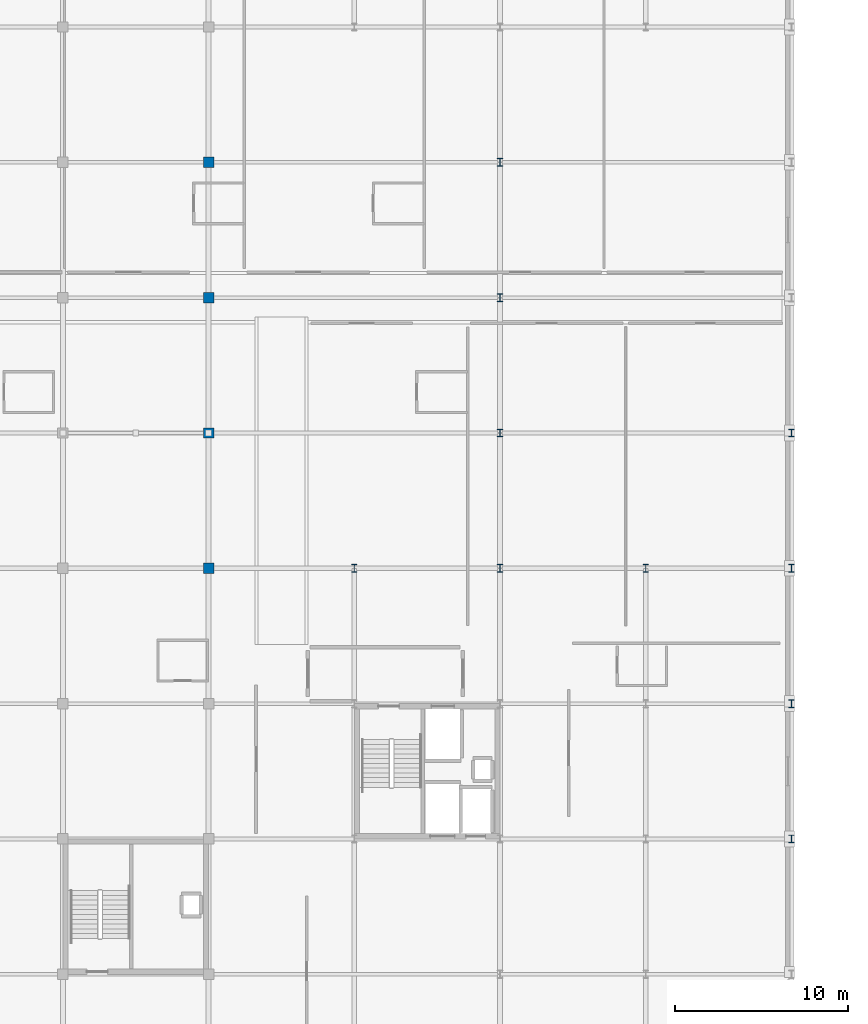
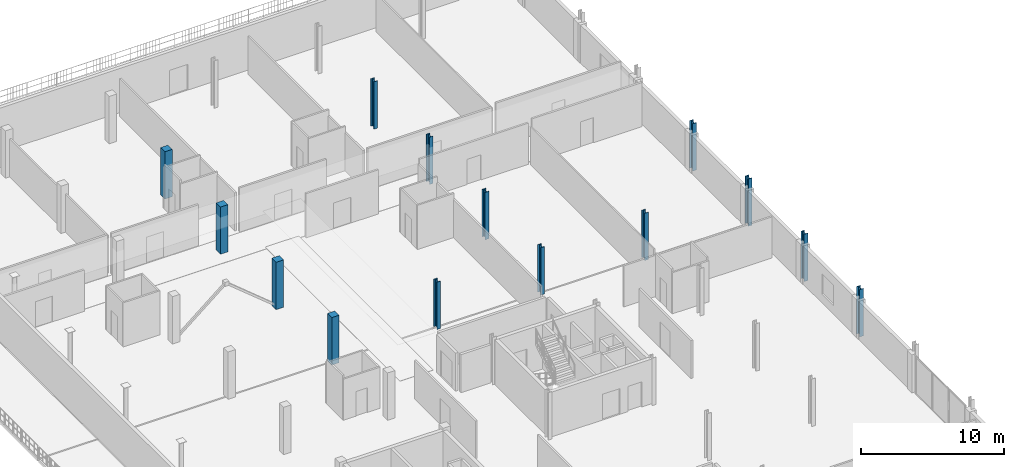
# One storey, part 4 of 25: 14 columns.
"""IFC4 building model written with IfcOpenShell, lengths in metres."""

from ifc_helpers import new_model, si_unit, direction, frame, origin, origin_2d, place, context, subcontext, project, spatial, rectangle, i_section, extrude, material, material_profile, profile_set, type_object, element, save


model = new_model("IFC4")

# Units and contexts
model_context = context("Model", 3, precision=1e-05, world=origin(), true_north=direction((0.0, 1.0)))
body_context = subcontext(model_context, "Body", "Model", "MODEL_VIEW")
ifc_project = project(units=[si_unit("LENGTHUNIT", "METRE"), si_unit("AREAUNIT", "SQUARE_METRE"), si_unit("VOLUMEUNIT", "CUBIC_METRE"), si_unit("PLANEANGLEUNIT", "RADIAN"), si_unit("MASSUNIT", "GRAM", prefix="KILO")], contexts=[model_context])

# Site, building, storey
site_placement = place(None, origin())
site = spatial("IfcSite", under=ifc_project, at=site_placement, CompositionType="ELEMENT")
building_placement = place(site_placement, origin())
building = spatial("IfcBuilding", under=site, at=building_placement, Name="Nabrawat Pavilion Hospital", CompositionType="ELEMENT")
storey_placement = place(building_placement, frame((0.0, 0.0, 22.949951171875)))
storey = spatial("IfcBuildingStorey", under=building, at=storey_placement, Name="L05", CompositionType="ELEMENT", Elevation=22.949951171875)

# Columns
ifc_material_1 = material(Name="Steel S355", Category="steel")
ifc_material_profile_1 = material_profile(ifc_material_1, i_section(OverallWidth=0.300048828125, OverallDepth=0.449951171875, WebThickness=0.013916015625, FlangeThickness=0.02587890625, FilletRadius=0.027099609375, at=origin_2d()), Name="HEB 450")
ifc_profile_set_1 = profile_set([ifc_material_profile_1], Name="Steel S355")
column_type_1 = type_object("IfcColumnType", Name="Composite Steel Column HEB 450", PredefinedType="COLUMN", material=ifc_profile_set_1)
for number, where, z_axis, x_axis, name in (
    (1, (168.0, 85.800048828125, 0.0), (0.0, 0.0, 1.0), (1.0, 0.0, 0.0), "L05 Structural Column G-21-M1"),
    (2, (176.39990234375, 85.800048828125, 0.0), (0.0, 0.0, 1.0), (1.0, 0.0, 0.0), "L05 Structural Column G-22-M1"),
    (3, (176.39990234375, 93.60009765625, 0.0), (0.0, 0.0, 1.0), (1.0, 0.0, 0.0), "L05 Structural Column G-22-N"),
    (4, (176.39990234375, 101.39990234375, 0.0), (0.0, 0.0, 1.0), (1.0, 0.0, 0.0), "L05 Structural Column G-22-P"),
    (5, (176.39990234375, 109.199951171875, 0.0), (0.0, 0.0, 1.0), (1.0, 0.0, 0.0), "L05 Structural Column G-22-Q"),
    (6, (184.800048828125, 85.800048828125, 0.0), (0.0, 0.0, 1.0), (1.0, 0.0, 0.0), "L05 Structural Column G-23-M1"),
    (7, (193.199951171875, 70.199951171875, 0.0), (0.0, 0.0, 1.0), (1.0, 0.0, 0.0), "L05 Structural Column G-24-K"),
    (8, (193.199951171875, 78.0, 0.0), (0.0, 0.0, 1.0), (1.0, 0.0, 0.0), "L05 Structural Column G-24-L"),
    (9, (193.199951171875, 85.800048828125, 0.0), (0.0, 0.0, 1.0), (1.0, 0.0, 0.0), "L05 Structural Column G-24-M1"),
    (10, (193.199951171875, 93.60009765625, 0.0), (0.0, 0.0, 1.0), (1.0, 0.0, 0.0), "L05 Structural Column G-24-N"),
):
    element("IfcColumn", number, at=place(storey_placement, frame(where, z_axis=z_axis, x_axis=x_axis)), inside=storey, type_object=column_type_1, Name=name, PredefinedType="COLUMN", context=body_context, shape_type="SweptSolid", body=[
        extrude(i_section(OverallWidth=0.300048828125, OverallDepth=0.449951171875, WebThickness=0.013916015625, FlangeThickness=0.02587890625, FilletRadius=0.027099609375, at=origin_2d()), origin(), (0.0, 0.0, 1.0), 4.050048828125),
    ])
ifc_material_2 = material(Name="Concrete C40/50", Category="concrete")
ifc_material_profile_2 = material_profile(ifc_material_2, rectangle(XDim=0.60009765625, YDim=0.60009765625, at=origin_2d()), Name="RC 600x600")
ifc_profile_set_2 = profile_set([ifc_material_profile_2], Name="Concrete C40/50")
column_type_2 = type_object("IfcColumnType", Name="Upper Ward RC Column 600x600", PredefinedType="COLUMN", material=ifc_profile_set_2)
for number, where, z_axis, x_axis, name in (
    (11, (159.60009765625, 85.800048828125, 0.0), (0.0, 0.0, 1.0), (1.0, 0.0, 0.0), "L05 Structural Column G-20-M1"),
    (12, (159.60009765625, 93.60009765625, 0.0), (0.0, 0.0, 1.0), (1.0, 0.0, 0.0), "L05 Structural Column G-20-N"),
    (13, (159.60009765625, 101.39990234375, 0.0), (0.0, 0.0, 1.0), (1.0, 0.0, 0.0), "L05 Structural Column G-20-P"),
    (14, (159.60009765625, 109.199951171875, 0.0), (0.0, 0.0, 1.0), (1.0, 0.0, 0.0), "L05 Structural Column G-20-Q"),
):
    element("IfcColumn", number, at=place(storey_placement, frame(where, z_axis=z_axis, x_axis=x_axis)), inside=storey, type_object=column_type_2, Name=name, PredefinedType="COLUMN", context=body_context, shape_type="SweptSolid", body=[
        extrude(rectangle(XDim=0.60009765625, YDim=0.60009765625, at=origin_2d()), origin(), (0.0, 0.0, 1.0), 4.050048828125),
    ])

save(model, "model.ifc")
